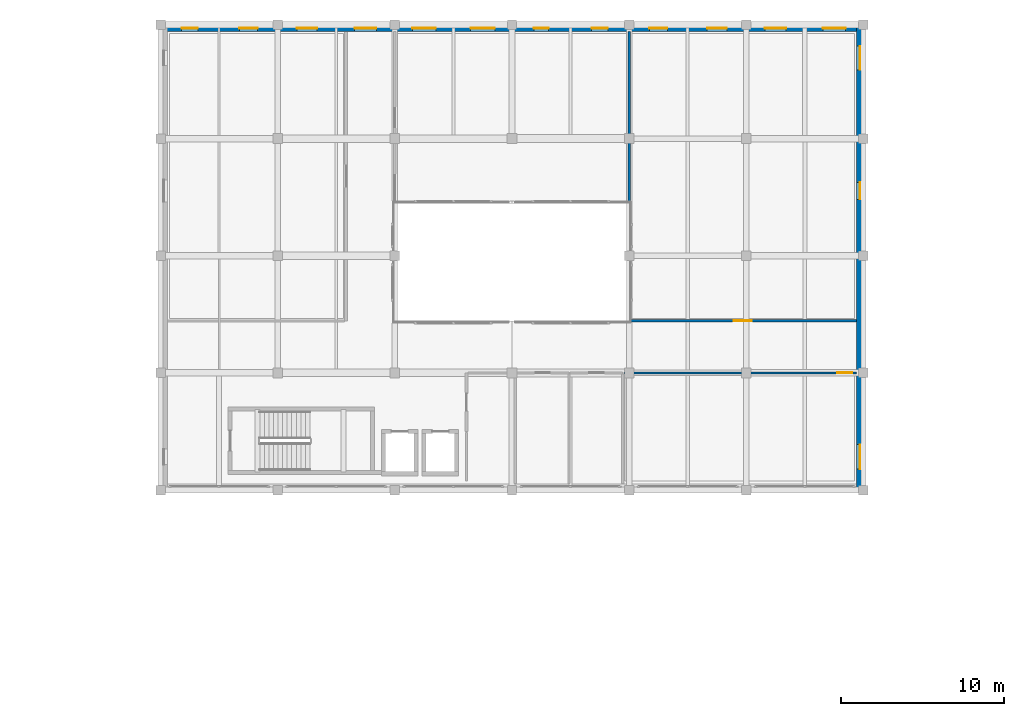
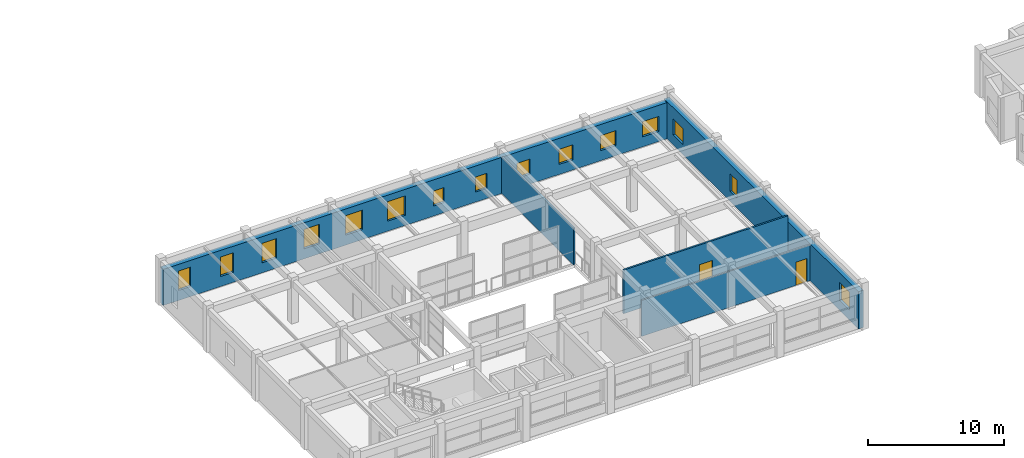
# One storey, part 33 of 49: 15 windows, 5 walls, 2 doors, 17 openings.
"""IFC4 building model written with IfcOpenShell, lengths in metres."""

from ifc_helpers import new_model, si_unit, direction, frame, frame_2d, origin, place, context, subcontext, project, spatial, rectangle, extrude, material, layer, layer_set, type_object, element, fill, save


model = new_model("IFC4")

# Units and contexts
model_context = context("Model", 3, precision=1e-05, world=origin(), true_north=direction((0.0, 1.0)))
body_context = subcontext(model_context, "Body", "Model", "MODEL_VIEW")
ifc_project = project(units=[si_unit("LENGTHUNIT", "METRE"), si_unit("AREAUNIT", "SQUARE_METRE"), si_unit("VOLUMEUNIT", "CUBIC_METRE"), si_unit("PLANEANGLEUNIT", "RADIAN"), si_unit("MASSUNIT", "GRAM", prefix="KILO")], contexts=[model_context])

# Site, building, storey
site_placement = place(None, origin())
site = spatial("IfcSite", under=ifc_project, at=site_placement, CompositionType="ELEMENT")
building_placement = place(site_placement, origin())
building = spatial("IfcBuilding", under=site, at=building_placement, Name="Bramveld Media Centre", CompositionType="ELEMENT")
storey_placement = place(building_placement, frame((0.0, 0.0, 9.60009765625)))
storey = spatial("IfcBuildingStorey", under=building, at=storey_placement, Name="L02", CompositionType="ELEMENT", Elevation=9.60009765625)

# Wall, openings, windows
ifc_material_1 = material(Name="Flemish red-brown clay facing brick cavity wall with concrete C35/45 inner leaf", Category="masonry")
ifc_layer_1 = layer(ifc_material_1, 0.419921875)
ifc_layer_set_1 = layer_set([ifc_layer_1], Name="Flemish red-brown clay facing brick cavity wall with concrete C35/45 inner leaf")
wall_type_1 = type_object("IfcWallType", Name="EW-BRK-420", PredefinedType="SOLIDWALL", material=ifc_layer_set_1)
wall_1_placement = place(storey_placement, frame((108.590087890625, 119.0, 0.0), z_axis=(0.0, 0.0, 1.0), x_axis=(0.0, -1.0, 0.0)))
wall_1 = element("IfcWall", 1, at=wall_1_placement, inside=storey, type_object=wall_type_1, Name="V6 L02 E facing brick exterior wall", PredefinedType="SOLIDWALL", context=body_context, shape_type="SweptSolid", body=[
    extrude(rectangle(XDim=28.60009765625, YDim=0.419921875, at=frame_2d((14.300048828125, 0.0))), origin(), (0.0, 0.0, 1.0), 3.344970703125),
])
opening_1_placement = place(wall_1_placement, frame((1.31787109375, 0.0, 0.89990234375)))
opening_1 = element("IfcOpeningElement", 2, at=opening_1_placement, cuts=wall_1, Name="Opening W-12", PredefinedType="OPENING", context=body_context, shape_type="SweptSolid", body=[
    extrude(rectangle(XDim=1.449951171875, YDim=1.449951171875, at=frame_2d((0.72509765625, 0.72509765625))), frame((0.0, 0.221923828125, 0.0), z_axis=(0.0, -1.0, 0.0), x_axis=(1.0, 0.0, 0.0)), (0.0, 0.0, 1.0), 0.44384765625),
])
opening_2_placement = place(wall_1_placement, frame((9.689208984375, 0.0, 0.89990234375)))
opening_2 = element("IfcOpeningElement", 3, at=opening_2_placement, cuts=wall_1, Name="Opening W-14", PredefinedType="OPENING", context=body_context, shape_type="SweptSolid", body=[
    extrude(rectangle(XDim=1.050048828125, YDim=1.60009765625, at=frame_2d((0.52490234375, 0.800048828125))), frame((0.0, 0.221923828125, 0.0), z_axis=(0.0, -1.0, 0.0), x_axis=(1.0, 0.0, 0.0)), (0.0, 0.0, 1.0), 0.44384765625),
])
opening_3_placement = place(wall_1_placement, frame((25.80712890625, 0.0, 0.89990234375)))
opening_3 = element("IfcOpeningElement", 4, at=opening_3_placement, cuts=wall_1, Name="Opening W-18", PredefinedType="OPENING", context=body_context, shape_type="SweptSolid", body=[
    extrude(rectangle(XDim=1.5, YDim=1.60009765625, at=frame_2d((0.75, 0.800048828125))), frame((0.0, 0.221923828125, 0.0), z_axis=(0.0, -1.0, 0.0), x_axis=(1.0, 0.0, 0.0)), (0.0, 0.0, 1.0), 0.44384765625),
])
ifc_material_2 = material(Name="Thermally broken anodized bronze aluminium frame with triple acoustic glazing", Category="aluminium")
window_type_1 = type_object("IfcWindowType", Name="WIN-FAC-12", PartitioningType="SINGLE_PANEL", PredefinedType="WINDOW", material=ifc_material_2)
window_1_placement = place(opening_1_placement, origin())
window_1 = element("IfcWindow", 5, at=window_1_placement, inside=storey, type_object=window_type_1, Name="V6 L02 E acoustic facade window", OverallHeight=1.449951171875, OverallWidth=1.449951171875, PartitioningType="SINGLE_PANEL", PredefinedType="WINDOW", context=body_context, shape_type="SweptSolid", body=[
    extrude(rectangle(XDim=1.449951171875, YDim=1.449951171875, at=frame_2d((0.72509765625, 0.72509765625))), frame((0.0, 0.030029296875, 0.0), z_axis=(0.0, -1.0, 0.0), x_axis=(1.0, 0.0, 0.0)), (0.0, 0.0, 1.0), 0.06005859375),
])
fill(opening_1, window_1)
ifc_material_3 = material(Name="Thermally broken anodized bronze aluminium frame with triple acoustic glazing", Category="aluminium")
window_type_2 = type_object("IfcWindowType", Name="WIN-FAC-14", PartitioningType="SINGLE_PANEL", PredefinedType="WINDOW", material=ifc_material_3)
window_2_placement = place(opening_2_placement, origin())
window_2 = element("IfcWindow", 6, at=window_2_placement, inside=storey, type_object=window_type_2, Name="V6 L02 E acoustic facade window", OverallHeight=1.60009765625, OverallWidth=1.050048828125, PartitioningType="SINGLE_PANEL", PredefinedType="WINDOW", context=body_context, shape_type="SweptSolid", body=[
    extrude(rectangle(XDim=1.050048828125, YDim=1.60009765625, at=frame_2d((0.52490234375, 0.800048828125))), frame((0.0, 0.030029296875, 0.0), z_axis=(0.0, -1.0, 0.0), x_axis=(1.0, 0.0, 0.0)), (0.0, 0.0, 1.0), 0.06005859375),
])
fill(opening_2, window_2)
ifc_material_4 = material(Name="Thermally broken anodized bronze aluminium frame with triple acoustic glazing", Category="aluminium")
window_type_3 = type_object("IfcWindowType", Name="WIN-FAC-18", PartitioningType="SINGLE_PANEL", PredefinedType="WINDOW", material=ifc_material_4)
window_3_placement = place(opening_3_placement, origin())
window_3 = element("IfcWindow", 7, at=window_3_placement, inside=storey, type_object=window_type_3, Name="V6 L02 E acoustic facade window", OverallHeight=1.60009765625, OverallWidth=1.5, PartitioningType="SINGLE_PANEL", PredefinedType="WINDOW", context=body_context, shape_type="SweptSolid", body=[
    extrude(rectangle(XDim=1.5, YDim=1.60009765625, at=frame_2d((0.75, 0.800048828125))), frame((0.0, 0.030029296875, 0.0), z_axis=(0.0, -1.0, 0.0), x_axis=(1.0, 0.0, 0.0)), (0.0, 0.0, 1.0), 0.06005859375),
])
fill(opening_3, window_3)

wall_2_placement = place(storey_placement, frame((65.60009765625, 118.7900390625, 0.0), z_axis=(0.0, 0.0, 1.0), x_axis=(1.0, 0.0, 0.0)))
wall_2 = element("IfcWall", 8, at=wall_2_placement, inside=storey, type_object=wall_type_1, Name="V6 L02 N facing brick exterior wall", PredefinedType="SOLIDWALL", context=body_context, shape_type="SweptSolid", body=[
    extrude(rectangle(XDim=43.199951171875, YDim=0.419921875, at=frame_2d((21.60009765625, 0.0))), origin(), (0.0, 0.0, 1.0), 3.244873046875),
])
opening_4_placement = place(wall_2_placement, frame((1.300048828125, 0.0, 0.89990234375)))
opening_4 = element("IfcOpeningElement", 9, at=opening_4_placement, cuts=wall_2, Name="Opening W-19", PredefinedType="OPENING", context=body_context, shape_type="SweptSolid", body=[
    extrude(rectangle(XDim=1.0, YDim=1.75, at=frame_2d((0.5, 0.875))), frame((0.0, 0.221923828125, 0.0), z_axis=(0.0, -1.0, 0.0), x_axis=(1.0, 0.0, 0.0)), (0.0, 0.0, 1.0), 0.44384765625),
])
opening_5_placement = place(wall_2_placement, frame((4.840087890625, 0.0, 0.89990234375)))
opening_5 = element("IfcOpeningElement", 10, at=opening_5_placement, cuts=wall_2, Name="Opening W-20", PredefinedType="OPENING", context=body_context, shape_type="SweptSolid", body=[
    extrude(rectangle(XDim=1.1201171875, YDim=1.75, at=frame_2d((0.56005859375, 0.875))), frame((0.0, 0.221923828125, 0.0), z_axis=(0.0, -1.0, 0.0), x_axis=(1.0, 0.0, 0.0)), (0.0, 0.0, 1.0), 0.44384765625),
])
opening_6_placement = place(wall_2_placement, frame((8.3798828125, 0.0, 0.89990234375)))
opening_6 = element("IfcOpeningElement", 11, at=opening_6_placement, cuts=wall_2, Name="Opening W-21", PredefinedType="OPENING", context=body_context, shape_type="SweptSolid", body=[
    extrude(rectangle(XDim=1.239990234375, YDim=1.75, at=frame_2d((0.6201171875, 0.875))), frame((0.0, 0.221923828125, 0.0), z_axis=(0.0, -1.0, 0.0), x_axis=(1.0, 0.0, 0.0)), (0.0, 0.0, 1.0), 0.44384765625),
])
opening_7_placement = place(wall_2_placement, frame((11.929931640625, 0.0, 0.89990234375)))
opening_7 = element("IfcOpeningElement", 12, at=opening_7_placement, cuts=wall_2, Name="Opening W-22", PredefinedType="OPENING", context=body_context, shape_type="SweptSolid", body=[
    extrude(rectangle(XDim=1.340087890625, YDim=1.75, at=frame_2d((0.669921875, 0.875))), frame((0.0, 0.221923828125, 0.0), z_axis=(0.0, -1.0, 0.0), x_axis=(1.0, 0.0, 0.0)), (0.0, 0.0, 1.0), 0.44384765625),
])
opening_8_placement = place(wall_2_placement, frame((15.47998046875, 0.0, 0.89990234375)))
opening_8 = element("IfcOpeningElement", 13, at=opening_8_placement, cuts=wall_2, Name="Opening W-23", PredefinedType="OPENING", context=body_context, shape_type="SweptSolid", body=[
    extrude(rectangle(XDim=1.43994140625, YDim=1.75, at=frame_2d((0.719970703125, 0.875))), frame((0.0, 0.221923828125, 0.0), z_axis=(0.0, -1.0, 0.0), x_axis=(1.0, 0.0, 0.0)), (0.0, 0.0, 1.0), 0.44384765625),
])
opening_9_placement = place(wall_2_placement, frame((19.050048828125, 0.0, 0.89990234375)))
opening_9 = element("IfcOpeningElement", 14, at=opening_9_placement, cuts=wall_2, Name="Opening W-24", PredefinedType="OPENING", context=body_context, shape_type="SweptSolid", body=[
    extrude(rectangle(XDim=1.5, YDim=1.75, at=frame_2d((0.75, 0.875))), frame((0.0, 0.221923828125, 0.0), z_axis=(0.0, -1.0, 0.0), x_axis=(1.0, 0.0, 0.0)), (0.0, 0.0, 1.0), 0.44384765625),
])
opening_10_placement = place(wall_2_placement, frame((22.949951171875, 0.0, 0.89990234375)))
opening_10 = element("IfcOpeningElement", 15, at=opening_10_placement, cuts=wall_2, Name="Opening W-01", PredefinedType="OPENING", context=body_context, shape_type="SweptSolid", body=[
    extrude(rectangle(XDim=0.89990234375, YDim=1.35009765625, at=frame_2d((0.449951171875, 0.675048828125))), frame((0.0, 0.221923828125, 0.0), z_axis=(0.0, -1.0, 0.0), x_axis=(1.0, 0.0, 0.0)), (0.0, 0.0, 1.0), 0.44384765625),
])
opening_11_placement = place(wall_2_placement, frame((26.5, 0.0, 0.89990234375)))
opening_11 = element("IfcOpeningElement", 16, at=opening_11_placement, cuts=wall_2, Name="Opening W-02", PredefinedType="OPENING", context=body_context, shape_type="SweptSolid", body=[
    extrude(rectangle(XDim=1.0, YDim=1.35009765625, at=frame_2d((0.5, 0.675048828125))), frame((0.0, 0.221923828125, 0.0), z_axis=(0.0, -1.0, 0.0), x_axis=(1.0, 0.0, 0.0)), (0.0, 0.0, 1.0), 0.44384765625),
])
opening_12_placement = place(wall_2_placement, frame((30.050048828125, 0.0, 0.89990234375)))
opening_12 = element("IfcOpeningElement", 17, at=opening_12_placement, cuts=wall_2, Name="Opening W-03", PredefinedType="OPENING", context=body_context, shape_type="SweptSolid", body=[
    extrude(rectangle(XDim=1.10009765625, YDim=1.35009765625, at=frame_2d((0.550048828125, 0.675048828125))), frame((0.0, 0.221923828125, 0.0), z_axis=(0.0, -1.0, 0.0), x_axis=(1.0, 0.0, 0.0)), (0.0, 0.0, 1.0), 0.44384765625),
])
opening_13_placement = place(wall_2_placement, frame((33.60009765625, 0.0, 0.89990234375)))
opening_13 = element("IfcOpeningElement", 18, at=opening_13_placement, cuts=wall_2, Name="Opening W-04", PredefinedType="OPENING", context=body_context, shape_type="SweptSolid", body=[
    extrude(rectangle(XDim=1.199951171875, YDim=1.35009765625, at=frame_2d((0.60009765625, 0.675048828125))), frame((0.0, 0.221923828125, 0.0), z_axis=(0.0, -1.0, 0.0), x_axis=(1.0, 0.0, 0.0)), (0.0, 0.0, 1.0), 0.44384765625),
])
opening_14_placement = place(wall_2_placement, frame((37.14990234375, 0.0, 0.89990234375)))
opening_14 = element("IfcOpeningElement", 19, at=opening_14_placement, cuts=wall_2, Name="Opening W-05", PredefinedType="OPENING", context=body_context, shape_type="SweptSolid", body=[
    extrude(rectangle(XDim=1.300048828125, YDim=1.35009765625, at=frame_2d((0.64990234375, 0.675048828125))), frame((0.0, 0.221923828125, 0.0), z_axis=(0.0, -1.0, 0.0), x_axis=(1.0, 0.0, 0.0)), (0.0, 0.0, 1.0), 0.44384765625),
])
opening_15_placement = place(wall_2_placement, frame((40.699951171875, 0.0, 0.89990234375)))
opening_15 = element("IfcOpeningElement", 20, at=opening_15_placement, cuts=wall_2, Name="Opening W-06", PredefinedType="OPENING", context=body_context, shape_type="SweptSolid", body=[
    extrude(rectangle(XDim=1.39990234375, YDim=1.35009765625, at=frame_2d((0.699951171875, 0.675048828125))), frame((0.0, 0.221923828125, 0.0), z_axis=(0.0, -1.0, 0.0), x_axis=(1.0, 0.0, 0.0)), (0.0, 0.0, 1.0), 0.44384765625),
])
ifc_material_5 = material(Name="Thermally broken anodized bronze aluminium frame with triple acoustic glazing", Category="aluminium")
window_type_4 = type_object("IfcWindowType", Name="WIN-FAC-01", PartitioningType="SINGLE_PANEL", PredefinedType="WINDOW", material=ifc_material_5)
window_4_placement = place(opening_10_placement, origin())
window_4 = element("IfcWindow", 21, at=window_4_placement, inside=storey, type_object=window_type_4, Name="V6 L02 N acoustic facade window", OverallHeight=1.35009765625, OverallWidth=0.89990234375, PartitioningType="SINGLE_PANEL", PredefinedType="WINDOW", context=body_context, shape_type="SweptSolid", body=[
    extrude(rectangle(XDim=0.89990234375, YDim=1.35009765625, at=frame_2d((0.449951171875, 0.675048828125))), frame((0.0, 0.030029296875, 0.0), z_axis=(0.0, -1.0, 0.0), x_axis=(1.0, 0.0, 0.0)), (0.0, 0.0, 1.0), 0.06005859375),
])
fill(opening_10, window_4)
ifc_material_6 = material(Name="Thermally broken anodized bronze aluminium frame with triple acoustic glazing", Category="aluminium")
window_type_5 = type_object("IfcWindowType", Name="WIN-FAC-02", PartitioningType="SINGLE_PANEL", PredefinedType="WINDOW", material=ifc_material_6)
window_5_placement = place(opening_11_placement, origin())
window_5 = element("IfcWindow", 22, at=window_5_placement, inside=storey, type_object=window_type_5, Name="V6 L02 N acoustic facade window", OverallHeight=1.35009765625, OverallWidth=1.0, PartitioningType="SINGLE_PANEL", PredefinedType="WINDOW", context=body_context, shape_type="SweptSolid", body=[
    extrude(rectangle(XDim=1.0, YDim=1.35009765625, at=frame_2d((0.5, 0.675048828125))), frame((0.0, 0.030029296875, 0.0), z_axis=(0.0, -1.0, 0.0), x_axis=(1.0, 0.0, 0.0)), (0.0, 0.0, 1.0), 0.06005859375),
])
fill(opening_11, window_5)
ifc_material_7 = material(Name="Thermally broken anodized bronze aluminium frame with triple acoustic glazing", Category="aluminium")
window_type_6 = type_object("IfcWindowType", Name="WIN-FAC-03", PartitioningType="SINGLE_PANEL", PredefinedType="WINDOW", material=ifc_material_7)
window_6_placement = place(opening_12_placement, origin())
window_6 = element("IfcWindow", 23, at=window_6_placement, inside=storey, type_object=window_type_6, Name="V6 L02 N acoustic facade window", OverallHeight=1.35009765625, OverallWidth=1.10009765625, PartitioningType="SINGLE_PANEL", PredefinedType="WINDOW", context=body_context, shape_type="SweptSolid", body=[
    extrude(rectangle(XDim=1.10009765625, YDim=1.35009765625, at=frame_2d((0.550048828125, 0.675048828125))), frame((0.0, 0.030029296875, 0.0), z_axis=(0.0, -1.0, 0.0), x_axis=(1.0, 0.0, 0.0)), (0.0, 0.0, 1.0), 0.06005859375),
])
fill(opening_12, window_6)
ifc_material_8 = material(Name="Thermally broken anodized bronze aluminium frame with triple acoustic glazing", Category="aluminium")
window_type_7 = type_object("IfcWindowType", Name="WIN-FAC-04", PartitioningType="SINGLE_PANEL", PredefinedType="WINDOW", material=ifc_material_8)
window_7_placement = place(opening_13_placement, origin())
window_7 = element("IfcWindow", 24, at=window_7_placement, inside=storey, type_object=window_type_7, Name="V6 L02 N acoustic facade window", OverallHeight=1.35009765625, OverallWidth=1.199951171875, PartitioningType="SINGLE_PANEL", PredefinedType="WINDOW", context=body_context, shape_type="SweptSolid", body=[
    extrude(rectangle(XDim=1.199951171875, YDim=1.35009765625, at=frame_2d((0.60009765625, 0.675048828125))), frame((0.0, 0.030029296875, 0.0), z_axis=(0.0, -1.0, 0.0), x_axis=(1.0, 0.0, 0.0)), (0.0, 0.0, 1.0), 0.06005859375),
])
fill(opening_13, window_7)
ifc_material_9 = material(Name="Thermally broken anodized bronze aluminium frame with triple acoustic glazing", Category="aluminium")
window_type_8 = type_object("IfcWindowType", Name="WIN-FAC-05", PartitioningType="SINGLE_PANEL", PredefinedType="WINDOW", material=ifc_material_9)
window_8_placement = place(opening_14_placement, origin())
window_8 = element("IfcWindow", 25, at=window_8_placement, inside=storey, type_object=window_type_8, Name="V6 L02 N acoustic facade window", OverallHeight=1.35009765625, OverallWidth=1.300048828125, PartitioningType="SINGLE_PANEL", PredefinedType="WINDOW", context=body_context, shape_type="SweptSolid", body=[
    extrude(rectangle(XDim=1.300048828125, YDim=1.35009765625, at=frame_2d((0.64990234375, 0.675048828125))), frame((0.0, 0.030029296875, 0.0), z_axis=(0.0, -1.0, 0.0), x_axis=(1.0, 0.0, 0.0)), (0.0, 0.0, 1.0), 0.06005859375),
])
fill(opening_14, window_8)
ifc_material_10 = material(Name="Thermally broken anodized bronze aluminium frame with triple acoustic glazing", Category="aluminium")
window_type_9 = type_object("IfcWindowType", Name="WIN-FAC-06", PartitioningType="SINGLE_PANEL", PredefinedType="WINDOW", material=ifc_material_10)
window_9_placement = place(opening_15_placement, origin())
window_9 = element("IfcWindow", 26, at=window_9_placement, inside=storey, type_object=window_type_9, Name="V6 L02 N acoustic facade window", OverallHeight=1.35009765625, OverallWidth=1.39990234375, PartitioningType="SINGLE_PANEL", PredefinedType="WINDOW", context=body_context, shape_type="SweptSolid", body=[
    extrude(rectangle(XDim=1.39990234375, YDim=1.35009765625, at=frame_2d((0.699951171875, 0.675048828125))), frame((0.0, 0.030029296875, 0.0), z_axis=(0.0, -1.0, 0.0), x_axis=(1.0, 0.0, 0.0)), (0.0, 0.0, 1.0), 0.06005859375),
])
fill(opening_15, window_9)
ifc_material_11 = material(Name="Thermally broken anodized bronze aluminium frame with triple acoustic glazing", Category="aluminium")
window_type_10 = type_object("IfcWindowType", Name="WIN-FAC-19", PartitioningType="SINGLE_PANEL", PredefinedType="WINDOW", material=ifc_material_11)
window_10_placement = place(opening_4_placement, origin())
window_10 = element("IfcWindow", 27, at=window_10_placement, inside=storey, type_object=window_type_10, Name="V6 L02 N acoustic facade window", OverallHeight=1.75, OverallWidth=1.0, PartitioningType="SINGLE_PANEL", PredefinedType="WINDOW", context=body_context, shape_type="SweptSolid", body=[
    extrude(rectangle(XDim=1.0, YDim=1.75, at=frame_2d((0.5, 0.875))), frame((0.0, 0.030029296875, 0.0), z_axis=(0.0, -1.0, 0.0), x_axis=(1.0, 0.0, 0.0)), (0.0, 0.0, 1.0), 0.06005859375),
])
fill(opening_4, window_10)
ifc_material_12 = material(Name="Thermally broken anodized bronze aluminium frame with triple acoustic glazing", Category="aluminium")
window_type_11 = type_object("IfcWindowType", Name="WIN-FAC-20", PartitioningType="SINGLE_PANEL", PredefinedType="WINDOW", material=ifc_material_12)
window_11_placement = place(opening_5_placement, origin())
window_11 = element("IfcWindow", 28, at=window_11_placement, inside=storey, type_object=window_type_11, Name="V6 L02 N acoustic facade window", OverallHeight=1.75, OverallWidth=1.1201171875, PartitioningType="SINGLE_PANEL", PredefinedType="WINDOW", context=body_context, shape_type="SweptSolid", body=[
    extrude(rectangle(XDim=1.1201171875, YDim=1.75, at=frame_2d((0.56005859375, 0.875))), frame((0.0, 0.030029296875, 0.0), z_axis=(0.0, -1.0, 0.0), x_axis=(1.0, 0.0, 0.0)), (0.0, 0.0, 1.0), 0.06005859375),
])
fill(opening_5, window_11)
ifc_material_13 = material(Name="Thermally broken anodized bronze aluminium frame with triple acoustic glazing", Category="aluminium")
window_type_12 = type_object("IfcWindowType", Name="WIN-FAC-21", PartitioningType="SINGLE_PANEL", PredefinedType="WINDOW", material=ifc_material_13)
window_12_placement = place(opening_6_placement, origin())
window_12 = element("IfcWindow", 29, at=window_12_placement, inside=storey, type_object=window_type_12, Name="V6 L02 N acoustic facade window", OverallHeight=1.75, OverallWidth=1.239990234375, PartitioningType="SINGLE_PANEL", PredefinedType="WINDOW", context=body_context, shape_type="SweptSolid", body=[
    extrude(rectangle(XDim=1.239990234375, YDim=1.75, at=frame_2d((0.6201171875, 0.875))), frame((0.0, 0.030029296875, 0.0), z_axis=(0.0, -1.0, 0.0), x_axis=(1.0, 0.0, 0.0)), (0.0, 0.0, 1.0), 0.06005859375),
])
fill(opening_6, window_12)
ifc_material_14 = material(Name="Thermally broken anodized bronze aluminium frame with triple acoustic glazing", Category="aluminium")
window_type_13 = type_object("IfcWindowType", Name="WIN-FAC-22", PartitioningType="SINGLE_PANEL", PredefinedType="WINDOW", material=ifc_material_14)
window_13_placement = place(opening_7_placement, origin())
window_13 = element("IfcWindow", 30, at=window_13_placement, inside=storey, type_object=window_type_13, Name="V6 L02 N acoustic facade window", OverallHeight=1.75, OverallWidth=1.340087890625, PartitioningType="SINGLE_PANEL", PredefinedType="WINDOW", context=body_context, shape_type="SweptSolid", body=[
    extrude(rectangle(XDim=1.340087890625, YDim=1.75, at=frame_2d((0.669921875, 0.875))), frame((0.0, 0.030029296875, 0.0), z_axis=(0.0, -1.0, 0.0), x_axis=(1.0, 0.0, 0.0)), (0.0, 0.0, 1.0), 0.06005859375),
])
fill(opening_7, window_13)
ifc_material_15 = material(Name="Thermally broken anodized bronze aluminium frame with triple acoustic glazing", Category="aluminium")
window_type_14 = type_object("IfcWindowType", Name="WIN-FAC-23", PartitioningType="SINGLE_PANEL", PredefinedType="WINDOW", material=ifc_material_15)
window_14_placement = place(opening_8_placement, origin())
window_14 = element("IfcWindow", 31, at=window_14_placement, inside=storey, type_object=window_type_14, Name="V6 L02 N acoustic facade window", OverallHeight=1.75, OverallWidth=1.43994140625, PartitioningType="SINGLE_PANEL", PredefinedType="WINDOW", context=body_context, shape_type="SweptSolid", body=[
    extrude(rectangle(XDim=1.43994140625, YDim=1.75, at=frame_2d((0.719970703125, 0.875))), frame((0.0, 0.030029296875, 0.0), z_axis=(0.0, -1.0, 0.0), x_axis=(1.0, 0.0, 0.0)), (0.0, 0.0, 1.0), 0.06005859375),
])
fill(opening_8, window_14)
ifc_material_16 = material(Name="Thermally broken anodized bronze aluminium frame with triple acoustic glazing", Category="aluminium")
window_type_15 = type_object("IfcWindowType", Name="WIN-FAC-24", PartitioningType="SINGLE_PANEL", PredefinedType="WINDOW", material=ifc_material_16)
window_15_placement = place(opening_9_placement, origin())
window_15 = element("IfcWindow", 32, at=window_15_placement, inside=storey, type_object=window_type_15, Name="V6 L02 N acoustic facade window", OverallHeight=1.75, OverallWidth=1.5, PartitioningType="SINGLE_PANEL", PredefinedType="WINDOW", context=body_context, shape_type="SweptSolid", body=[
    extrude(rectangle(XDim=1.5, YDim=1.75, at=frame_2d((0.75, 0.875))), frame((0.0, 0.030029296875, 0.0), z_axis=(0.0, -1.0, 0.0), x_axis=(1.0, 0.0, 0.0)), (0.0, 0.0, 1.0), 0.06005859375),
])
fill(opening_9, window_15)

# Wall, opening, door
ifc_material_17 = material(Name="Lightweight acoustic stud partition", Category="gypsum")
ifc_layer_2 = layer(ifc_material_17, 0.125)
ifc_layer_set_2 = layer_set([ifc_layer_2], Name="Lightweight acoustic stud partition")
wall_type_2 = type_object("IfcWallType", Name="IW-PART-125", PredefinedType="PARTITIONING", material=ifc_layer_set_2)
wall_3_placement = place(storey_placement, frame((94.080078125, 97.60009765625, 0.0), z_axis=(0.0, 0.0, 1.0), x_axis=(1.0, 0.0, 0.0)))
wall_3 = element("IfcWall", 33, at=wall_3_placement, inside=storey, type_object=wall_type_2, Name="Ambisonic Listening Studio partition wall", PredefinedType="PARTITIONING", context=body_context, shape_type="SweptSolid", body=[
    extrude(rectangle(XDim=14.2900390625, YDim=0.125, at=frame_2d((7.14501953125, 0.0))), origin(), (0.0, 0.0, 1.0), 3.23486328125),
])
opening_16_placement = place(wall_3_placement, frame((13.1201171875, 0.0, 0.0)))
opening_16 = element("IfcOpeningElement", 34, at=opening_16_placement, cuts=wall_3, Name="Opening D-02-128", PredefinedType="OPENING", context=body_context, shape_type="SweptSolid", body=[
    extrude(rectangle(XDim=0.919921875, YDim=2.080078125, at=frame_2d((0.4599609375, 1.0400390625))), frame((0.0, 0.074462890625, 0.0), z_axis=(0.0, -1.0, 0.0), x_axis=(1.0, 0.0, 0.0)), (0.0, 0.0, 1.0), 0.14892578125),
])
ifc_material_18 = material(Name="Solid-core European oak acoustic timber leaf in steel frame", Category="steel")
door_type_1 = type_object("IfcDoorType", Name="DR-RM-0920", OperationType="NOTDEFINED", PredefinedType="DOOR", material=ifc_material_18)
door_1_placement = place(opening_16_placement, origin())
door_1 = element("IfcDoor", 35, at=door_1_placement, inside=storey, type_object=door_type_1, Name="Ambisonic Listening Studio entrance door", OperationType="SINGLE_SWING_LEFT", OverallHeight=2.080078125, OverallWidth=0.919921875, PredefinedType="DOOR", context=body_context, shape_type="SweptSolid", body=[
    extrude(rectangle(XDim=0.919921875, YDim=2.080078125, at=frame_2d((0.4599609375, 1.0400390625))), frame((0.0, 0.02490234375, 0.0), z_axis=(0.0, -1.0, 0.0), x_axis=(1.0, 0.0, 0.0)), (0.0, 0.0, 1.0), 0.050048828125),
])
fill(opening_16, door_1)

# Wall
ifc_material_19 = material(Name="Insulated metal-stud gypsum room partition", Category="gypsum")
ifc_layer_3 = layer(ifc_material_19, 0.14990234375)
ifc_layer_set_3 = layer_set([ifc_layer_3], Name="Insulated metal-stud gypsum room partition")
wall_type_3 = type_object("IfcWallType", Name="IW-PART-150", PredefinedType="PARTITIONING", material=ifc_layer_set_3)
wall_4_placement = place(storey_placement, frame((94.39990234375, 108.0, 0.0), z_axis=(0.0, 0.0, 1.0), x_axis=(0.0, 1.0, 0.0)))
element("IfcWall", 36, at=wall_4_placement, inside=storey, type_object=wall_type_3, Name="Modular Sound Lab & Patch Bay partition wall", PredefinedType="PARTITIONING", context=body_context, shape_type="SweptSolid", body=[
    extrude(rectangle(XDim=10.570068359375, YDim=0.14990234375, at=frame_2d((5.28515625, 0.0))), origin(), (0.0, 0.0, 1.0), 3.294921875),
])

# Wall, opening, door
wall_5_placement = place(storey_placement, frame((94.39990234375, 100.800048828125, 0.0), z_axis=(0.0, 0.0, 1.0), x_axis=(1.0, 0.0, 0.0)))
wall_5 = element("IfcWall", 37, at=wall_5_placement, inside=storey, type_object=wall_type_3, Name="Spatial Audio Exhibition Blackbox partition wall", PredefinedType="PARTITIONING", context=body_context, shape_type="SweptSolid", body=[
    extrude(rectangle(XDim=13.97021484375, YDim=0.14990234375, at=frame_2d((6.985107421875, 0.0))), origin(), (0.0, 0.0, 1.0), 3.919921875),
])
opening_17_placement = place(wall_5_placement, frame((6.425048828125, 0.0, 0.0)))
opening_17 = element("IfcOpeningElement", 38, at=opening_17_placement, cuts=wall_5, Name="Opening D-02-131", PredefinedType="OPENING", context=body_context, shape_type="SweptSolid", body=[
    extrude(rectangle(XDim=1.1201171875, YDim=2.14990234375, at=frame_2d((0.56005859375, 1.074951171875))), frame((0.0, 0.0869140625, 0.0), z_axis=(0.0, -1.0, 0.0), x_axis=(1.0, 0.0, 0.0)), (0.0, 0.0, 1.0), 0.173828125),
])
ifc_material_20 = material(Name="Solid-core European oak acoustic timber leaf in steel frame", Category="steel")
door_type_2 = type_object("IfcDoorType", Name="DR-RM-1120", OperationType="NOTDEFINED", PredefinedType="DOOR", material=ifc_material_20)
door_2_placement = place(opening_17_placement, origin())
door_2 = element("IfcDoor", 39, at=door_2_placement, inside=storey, type_object=door_type_2, Name="Spatial Audio Exhibition Blackbox entrance door", OperationType="SINGLE_SWING_RIGHT", OverallHeight=2.14990234375, OverallWidth=1.1201171875, PredefinedType="DOOR", context=body_context, shape_type="SweptSolid", body=[
    extrude(rectangle(XDim=1.1201171875, YDim=2.14990234375, at=frame_2d((0.56005859375, 1.074951171875))), frame((0.0, 0.02490234375, 0.0), z_axis=(0.0, -1.0, 0.0), x_axis=(1.0, 0.0, 0.0)), (0.0, 0.0, 1.0), 0.050048828125),
])
fill(opening_17, door_2)

save(model, "model.ifc")
